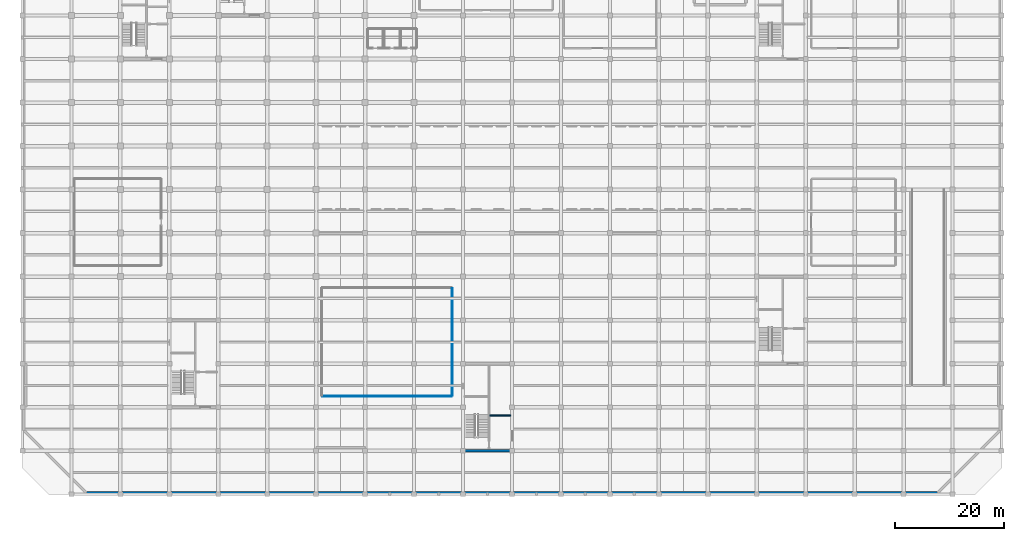
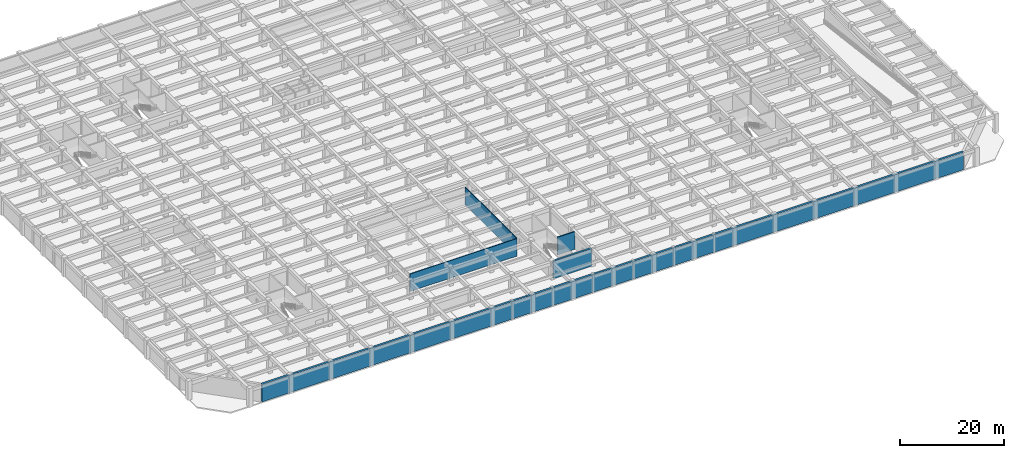
# One storey, part 11 of 26: 5 walls.
"""IFC4 building model written with IfcOpenShell, lengths in metres."""

from ifc_helpers import new_model, si_unit, direction, frame, frame_2d, origin, place, context, subcontext, project, spatial, rectangle, extrude, material, layer, layer_set, type_object, element, save


model = new_model("IFC4")

# Units and contexts
model_context = context("Model", 3, precision=1e-05, world=origin(), true_north=direction((0.0, 1.0)))
body_context = subcontext(model_context, "Body", "Model", "MODEL_VIEW")
ifc_project = project(units=[si_unit("LENGTHUNIT", "METRE"), si_unit("AREAUNIT", "SQUARE_METRE"), si_unit("VOLUMEUNIT", "CUBIC_METRE"), si_unit("PLANEANGLEUNIT", "RADIAN"), si_unit("MASSUNIT", "GRAM", prefix="KILO")], contexts=[model_context])

# Site, building, storey
site_placement = place(None, origin())
site = spatial("IfcSite", under=ifc_project, at=site_placement, CompositionType="ELEMENT")
building_placement = place(site_placement, origin())
building = spatial("IfcBuilding", under=site, at=building_placement, Name="Zaverband Oceanarium and Marine Research Institute", CompositionType="ELEMENT")
storey_placement = place(building_placement, frame((0.0, 0.0, -4.5)))
storey = spatial("IfcBuildingStorey", under=building, at=storey_placement, Name="B1", CompositionType="ELEMENT", Elevation=-4.5)

# Walls
ifc_material_1 = material(Name="Concrete C50/60", Category="concrete")
ifc_layer_1 = layer(ifc_material_1, 0.449951171875, Name="Concrete C50/60")
ifc_layer_set_1 = layer_set([ifc_layer_1], Name="Concrete C50/60")
wall_type_1 = type_object("IfcWallType", Name="CW-02", PredefinedType="SHEAR", material=ifc_layer_set_1)
wall_1_placement = place(storey_placement, frame((81.22509765625, 8.0, 0.0), z_axis=(0.0, 0.0, 1.0), x_axis=(1.0, 0.0, 0.0)))
element("IfcWall", 1, at=wall_1_placement, inside=storey, type_object=wall_type_1, Name="Structural shear wall CW-02", PredefinedType="SHEAR", context=body_context, shape_type="SweptSolid", body=[
    extrude(rectangle(XDim=8.5498046875, YDim=0.449951171875, at=frame_2d((4.27490234375, 0.0))), origin(), (0.0, 0.0, 1.0), 4.14990234375),
])
ifc_material_2 = material(Name="Corridor rated drywall partition")
ifc_layer_2 = layer(ifc_material_2, 0.1650390625, Name="Corridor rated drywall partition")
ifc_layer_set_2 = layer_set([ifc_layer_2], Name="Corridor rated drywall partition")
wall_type_2 = type_object("IfcWallType", Name="PT-165-CR", PredefinedType="PARTITIONING", material=ifc_layer_set_2)
wall_2_placement = place(storey_placement, frame((55.08251953125, 18.0, 0.0), z_axis=(0.0, 0.0, 1.0), x_axis=(1.0, 0.0, 0.0)))
element("IfcWall", 2, at=wall_2_placement, inside=storey, type_object=wall_type_2, Name="Internal partition PT-165-CR", PredefinedType="PARTITIONING", context=body_context, shape_type="SweptSolid", body=[
    extrude(rectangle(XDim=23.8349609375, YDim=0.1650390625, at=frame_2d((11.91748046875, 0.0))), origin(), (0.0, 0.0, 1.0), 4.14990234375),
])
wall_3_placement = place(storey_placement, frame((79.0, 18.08251953125, 0.0), z_axis=(0.0, 0.0, 1.0), x_axis=(0.0, 1.0, 0.0)))
element("IfcWall", 3, at=wall_3_placement, inside=storey, type_object=wall_type_2, Name="Internal partition PT-165-CR", PredefinedType="PARTITIONING", context=body_context, shape_type="SweptSolid", body=[
    extrude(rectangle(XDim=19.8349609375, YDim=0.1650390625, at=frame_2d((9.91748046875, 0.0))), origin(), (0.0, 0.0, 1.0), 4.14990234375),
])
ifc_layer_3 = layer(ifc_material_1, 0.25, Name="Concrete C50/60")
ifc_layer_set_3 = layer_set([ifc_layer_3], Name="Concrete C50/60")
wall_type_3 = type_object("IfcWallType", Name="PW-CORE-250", PredefinedType="SOLIDWALL", material=ifc_layer_set_3)
wall_4_placement = place(storey_placement, frame((85.905029296875, 14.47509765625, 0.0), z_axis=(0.0, 0.0, 1.0), x_axis=(1.0, 0.0, 0.0)))
element("IfcWall", 4, at=wall_4_placement, inside=storey, type_object=wall_type_3, Name="Structural concrete wall PW-CORE-250", PredefinedType="SOLIDWALL", context=body_context, shape_type="SweptSolid", body=[
    extrude(rectangle(XDim=3.869873046875, YDim=0.25, at=frame_2d((1.93505859375, 0.0))), origin(), (0.0, 0.0, 1.0), 4.14990234375),
])
ifc_material_3 = material(Name="Concrete C45/55", Category="concrete")
ifc_layer_4 = layer(ifc_material_3, 0.47998046875, Name="Concrete C45/55")
ifc_layer_set_4 = layer_set([ifc_layer_4], Name="Concrete C45/55")
wall_type_4 = type_object("IfcWallType", Name="RW-01", PredefinedType="SHEAR", material=ifc_layer_set_4)
wall_5_placement = place(storey_placement, frame((11.75, 0.25, 0.0), z_axis=(0.0, 0.0, 1.0), x_axis=(1.0, 0.0, 0.0)))
element("IfcWall", 5, at=wall_5_placement, inside=storey, type_object=wall_type_4, Name="Basement retaining wall RW-01", PredefinedType="SHEAR", context=body_context, shape_type="SweptSolid", body=[
    extrude(rectangle(XDim=156.5, YDim=0.47998046875, at=frame_2d((78.25, 0.0))), origin(), (0.0, 0.0, 1.0), 4.14990234375),
])

save(model, "model.ifc")
